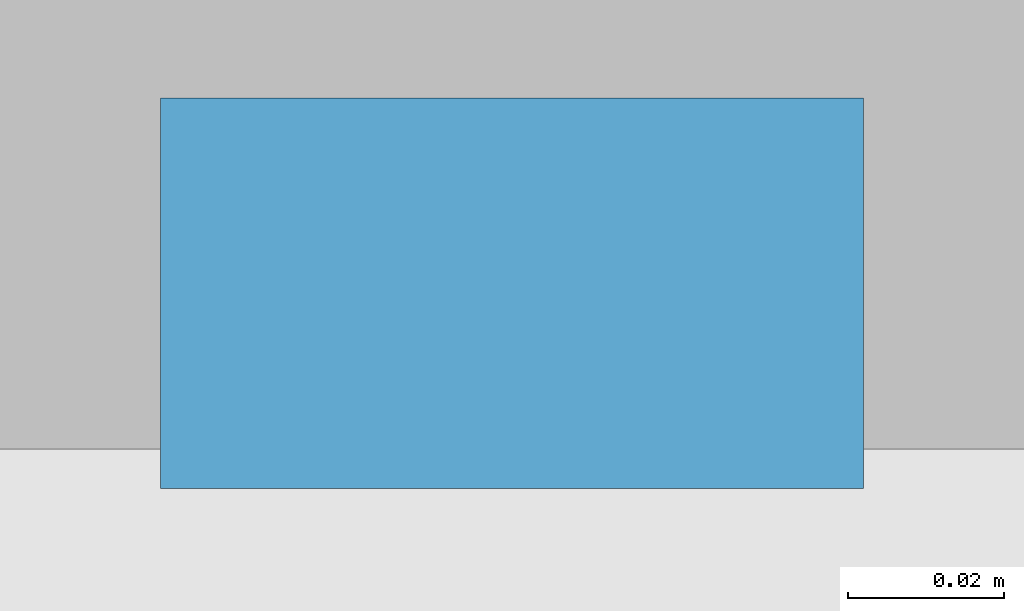
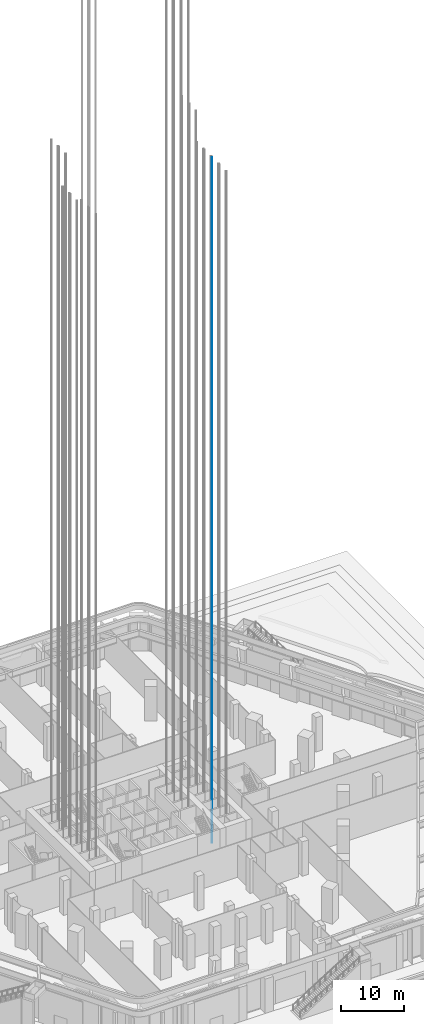
# One storey, part 49 of 68: 1 discrete accessory.
"""IFC4 building model written with IfcOpenShell, lengths in metres."""

from ifc_helpers import new_model, si_unit, direction, frame, origin, origin_2d, place, context, subcontext, project, spatial, rectangle, extrude, element, save


model = new_model("IFC4")

# Units and contexts
model_context = context("Model", 3, precision=1e-05, world=origin(), true_north=direction((0.0, 1.0)))
body_context = subcontext(model_context, "Body", "Model", "MODEL_VIEW")
ifc_project = project(units=[si_unit("LENGTHUNIT", "METRE"), si_unit("AREAUNIT", "SQUARE_METRE"), si_unit("VOLUMEUNIT", "CUBIC_METRE"), si_unit("PLANEANGLEUNIT", "RADIAN"), si_unit("MASSUNIT", "GRAM", prefix="KILO")], contexts=[model_context])

# Site, building, storey
site_placement = place(None, origin())
site = spatial("IfcSite", under=ifc_project, at=site_placement, CompositionType="ELEMENT")
building_placement = place(site_placement, origin())
building = spatial("IfcBuilding", under=site, at=building_placement, Name="Kolab Exchange Tower", CompositionType="ELEMENT")
storey_placement = place(building_placement, origin())
storey = spatial("IfcBuildingStorey", under=building, at=storey_placement, Name="L00", CompositionType="ELEMENT", Elevation=0.0)

# Discrete accessory
discrete_accessory_placement = place(storey_placement, frame((12.0, -2.530029296875, -1.599853515625), z_axis=(0.0, 0.0, 1.0), x_axis=(1.0, 0.0, 0.0)))
element("IfcDiscreteAccessory", 1, at=discrete_accessory_placement, inside=storey, Name="Guide rail LR2-2", ObjectType="GUIDE RAIL", PredefinedType="USERDEFINED", context=body_context, shape_type="SweptSolid", body=[
    extrude(rectangle(XDim=0.090087890625, YDim=0.050048828125, at=origin_2d()), origin(), (0.0, 0.0, 1.0), 133.39990234375),
])

save(model, "model.ifc")
